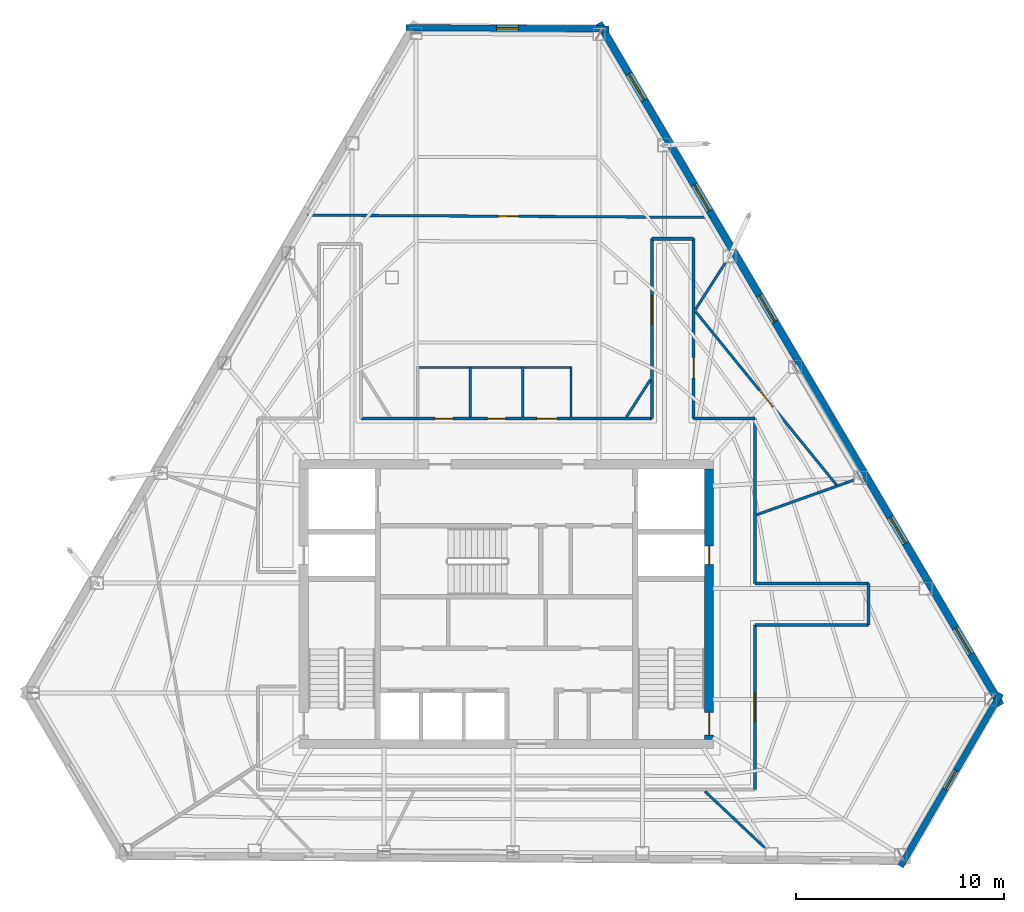
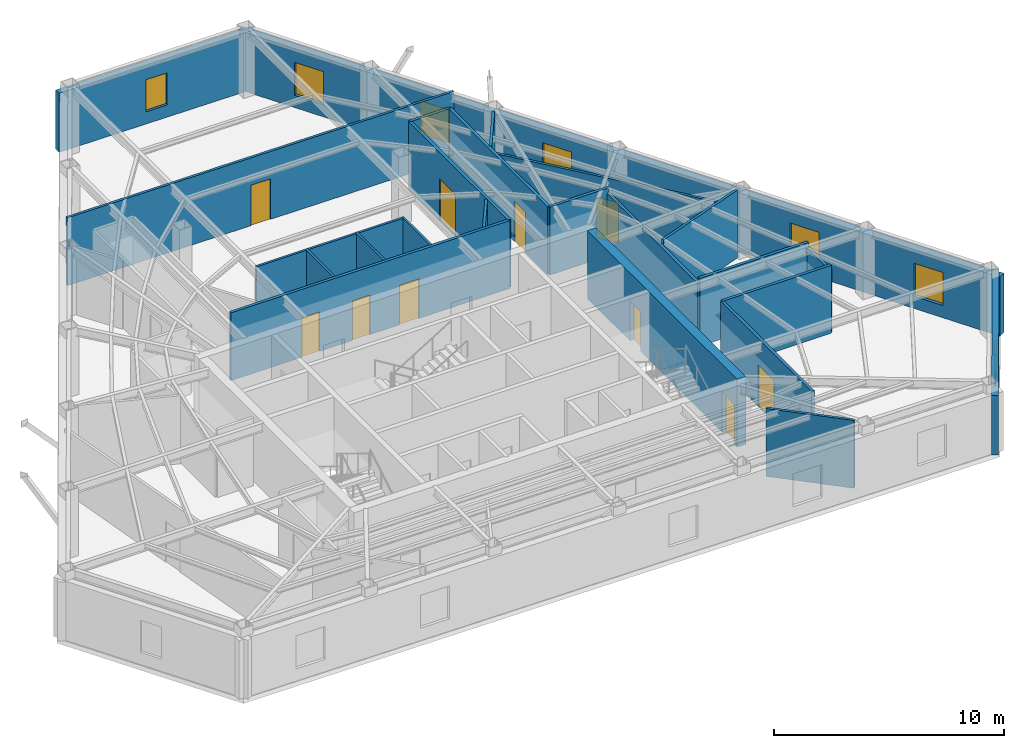
# One storey, part 9 of 11: 24 walls, 10 doors, 7 windows, 17 openings.
"""IFC4 building model written with IfcOpenShell, lengths in metres."""

from ifc_helpers import new_model, si_unit, direction, frame, frame_2d, origin, place, context, subcontext, project, spatial, rectangle, extrude, material, layer, layer_set, type_object, element, fill, save


model = new_model("IFC4")

# Units and contexts
model_context = context("Model", 3, precision=1e-05, world=origin(), true_north=direction((0.0, 1.0)))
body_context = subcontext(model_context, "Body", "Model", "MODEL_VIEW")
ifc_project = project(units=[si_unit("LENGTHUNIT", "METRE"), si_unit("AREAUNIT", "SQUARE_METRE"), si_unit("VOLUMEUNIT", "CUBIC_METRE"), si_unit("PLANEANGLEUNIT", "RADIAN"), si_unit("MASSUNIT", "GRAM", prefix="KILO")], contexts=[model_context])

# Site, building, storey
site_placement = place(None, origin())
site = spatial("IfcSite", under=ifc_project, at=site_placement, CompositionType="ELEMENT")
building_placement = place(site_placement, origin())
building = spatial("IfcBuilding", under=site, at=building_placement, Name="Kavelnor Concourse Tower", CompositionType="ELEMENT")
storey_placement = place(building_placement, frame((0.0, 0.0, 195.800048828125)))
storey = spatial("IfcBuildingStorey", under=building, at=storey_placement, Name="L49", CompositionType="ELEMENT", Elevation=195.800048828125)

# Wall, openings, doors
ifc_material_1 = material(Name="Concrete C50/60", Category="concrete")
ifc_layer_1 = layer(ifc_material_1, 0.43994140625, Name="Concrete C50/60")
ifc_layer_set_1 = layer_set([ifc_layer_1], Name="Concrete C50/60")
wall_type_1 = type_object("IfcWallType", Name="WL-CORE-Z3-440", PredefinedType="SOLIDWALL", material=ifc_layer_set_1)
wall_1_placement = place(storey_placement, frame((47.739990234375, 9.60009765625, 0.0), z_axis=(0.0, 0.0, 1.0), x_axis=(0.0, 1.0, 0.0)))
wall_1 = element("IfcWall", 1, at=wall_1_placement, inside=storey, type_object=wall_type_1, Name="L49 Central Core East Shear Wall", PredefinedType="SOLIDWALL", context=body_context, shape_type="SweptSolid", body=[
    extrude(rectangle(XDim=13.0, YDim=0.43994140625, at=frame_2d((6.5, 0.0))), origin(), (0.0, 0.0, 1.0), 3.599853515625),
])
opening_1_placement = place(wall_1_placement, frame((0.199951171875, 0.0, 0.0)))
opening_1 = element("IfcOpeningElement", 2, at=opening_1_placement, cuts=wall_1, Name="Opening FD-110", PredefinedType="OPENING", context=body_context, shape_type="SweptSolid", body=[
    extrude(rectangle(XDim=1.10009765625, YDim=2.14990234375, at=frame_2d((0.550048828125, 1.074951171875))), frame((0.0, 0.22998046875, 0.0), z_axis=(0.0, -1.0, 0.0), x_axis=(1.0, 0.0, 0.0)), (0.0, 0.0, 1.0), 0.4599609375),
])
opening_2_placement = place(wall_1_placement, frame((8.39990234375, 0.0, 0.0)))
opening_2 = element("IfcOpeningElement", 3, at=opening_2_placement, cuts=wall_1, Name="Opening FD-090", PredefinedType="OPENING", context=body_context, shape_type="SweptSolid", body=[
    extrude(rectangle(XDim=0.89990234375, YDim=2.10009765625, at=frame_2d((0.449951171875, 1.050048828125))), frame((0.0, 0.22998046875, 0.0), z_axis=(0.0, -1.0, 0.0), x_axis=(1.0, 0.0, 0.0)), (0.0, 0.0, 1.0), 0.4599609375),
])
ifc_material_2 = material(Name="Steel Grade 350", Category="steel")
door_type_1 = type_object("IfcDoorType", Name="DR-RISER-FIRE-900", OperationType="NOTDEFINED", PredefinedType="DOOR", material=ifc_material_2)
door_1_placement = place(opening_2_placement, origin())
door_1 = element("IfcDoor", 4, at=door_1_placement, inside=storey, type_object=door_type_1, Name="L49 East Riser Access Door", OperationType="SINGLE_SWING_LEFT", OverallHeight=2.10009765625, OverallWidth=0.89990234375, PredefinedType="DOOR", context=body_context, shape_type="SweptSolid", body=[
    extrude(rectangle(XDim=0.89990234375, YDim=2.10009765625, at=frame_2d((0.449951171875, 1.050048828125))), frame((0.0, 0.02490234375, 0.0), z_axis=(0.0, -1.0, 0.0), x_axis=(1.0, 0.0, 0.0)), (0.0, 0.0, 1.0), 0.050048828125),
])
fill(opening_2, door_1)
door_type_2 = type_object("IfcDoorType", Name="DR-STAIR-FIRE-1100", OperationType="NOTDEFINED", PredefinedType="DOOR", material=ifc_material_2)
door_2_placement = place(opening_1_placement, origin())
door_2 = element("IfcDoor", 5, at=door_2_placement, inside=storey, type_object=door_type_2, Name="L49 Stair ST2 Fire Door", OperationType="SINGLE_SWING_RIGHT", OverallHeight=2.14990234375, OverallWidth=1.10009765625, PredefinedType="DOOR", context=body_context, shape_type="SweptSolid", body=[
    extrude(rectangle(XDim=1.10009765625, YDim=2.14990234375, at=frame_2d((0.550048828125, 1.074951171875))), frame((0.0, 0.02490234375, 0.0), z_axis=(0.0, -1.0, 0.0), x_axis=(1.0, 0.0, 0.0)), (0.0, 0.0, 1.0), 0.050048828125),
])
fill(opening_1, door_2)

# Wall, opening, window
ifc_material_3 = material(Name="Buff ironspot clay face brick masonry", Category="masonry")
ifc_layer_2 = layer(ifc_material_3, 0.300048828125, Name="Buff ironspot clay face brick masonry")
ifc_layer_set_2 = layer_set([ifc_layer_2], Name="Buff ironspot clay face brick masonry")
wall_type_2 = type_object("IfcWallType", Name="WL-EXT-BUFF-BRICK-FOLD-300", PredefinedType="STANDARD", material=ifc_layer_set_2)
wall_2_placement = place(storey_placement, frame((33.177978515625, 43.81103515625, 0.0), z_axis=(0.0, 0.0, 1.0), x_axis=(0.999978468776, -0.006562163026, 0.0)))
wall_2 = element("IfcWall", 6, at=wall_2_placement, inside=storey, type_object=wall_type_2, Name="L49 Exterior Brick Facade Wall E0", PredefinedType="STANDARD", context=body_context, shape_type="SweptSolid", body=[
    extrude(rectangle(XDim=9.74755859375, YDim=0.300048828125, at=frame_2d((4.873779296875, 0.0))), origin(), (0.0, 0.0, 1.0), 3.1318359375),
])
opening_3_placement = place(wall_2_placement, frame((4.348876953125, 0.0, 0.64990234375)))
opening_3 = element("IfcOpeningElement", 7, at=opening_3_placement, cuts=wall_2, Name="Opening W-06", PredefinedType="OPENING", context=body_context, shape_type="SweptSolid", body=[
    extrude(rectangle(XDim=1.050048828125, YDim=1.699951171875, at=frame_2d((0.52490234375, 0.85009765625))), frame((0.0, 0.16015625, 0.0), z_axis=(0.0, -1.0, 0.0), x_axis=(1.0, 0.0, 0.0)), (0.0, 0.0, 1.0), 0.320068359375),
])
ifc_material_4 = material(Name="Double low-E argon insulated glazing", Category="glass")
window_type_1 = type_object("IfcWindowType", Name="WIN-FOLD-1050", PartitioningType="SINGLE_PANEL", PredefinedType="WINDOW", material=ifc_material_4)
window_1_placement = place(opening_3_placement, origin())
window_1 = element("IfcWindow", 8, at=window_1_placement, inside=storey, type_object=window_type_1, Name="L49 Chamfer-Fold Facet Window C0", OverallHeight=1.699951171875, OverallWidth=1.050048828125, PartitioningType="SINGLE_PANEL", PredefinedType="WINDOW", context=body_context, shape_type="SweptSolid", body=[
    extrude(rectangle(XDim=1.050048828125, YDim=1.699951171875, at=frame_2d((0.52490234375, 0.85009765625))), frame((0.0, 0.030029296875, 0.0), z_axis=(0.0, -1.0, 0.0), x_axis=(1.0, 0.0, 0.0)), (0.0, 0.0, 1.0), 0.06005859375),
])
fill(opening_3, window_1)

wall_3_placement = place(storey_placement, frame((61.7626953125, 11.802490234375, 0.0), z_axis=(0.0, 0.0, 1.0), x_axis=(-0.502107301485, -0.864805329421, 0.0)))
wall_3 = element("IfcWall", 9, at=wall_3_placement, inside=storey, type_object=wall_type_2, Name="L49 Exterior Brick Facade Wall E4", PredefinedType="STANDARD", context=body_context, shape_type="SweptSolid", body=[
    extrude(rectangle(XDim=9.60205078125, YDim=0.300048828125, at=frame_2d((4.801025390625, 0.0))), origin(), (0.0, 0.0, 1.0), 3.1318359375),
])
opening_4_placement = place(wall_3_placement, frame((4.276123046875, 0.0, 0.64990234375)))
opening_4 = element("IfcOpeningElement", 10, at=opening_4_placement, cuts=wall_3, Name="Opening W-06", PredefinedType="OPENING", context=body_context, shape_type="SweptSolid", body=[
    extrude(rectangle(XDim=1.050048828125, YDim=1.699951171875, at=frame_2d((0.52490234375, 0.85009765625))), frame((0.0, 0.16015625, 0.0), z_axis=(0.0, -1.0, 0.0), x_axis=(1.0, 0.0, 0.0)), (0.0, 0.0, 1.0), 0.320068359375),
])
window_2_placement = place(opening_4_placement, origin())
window_2 = element("IfcWindow", 11, at=window_2_placement, inside=storey, type_object=window_type_1, Name="L49 Chamfer-Fold Facet Window C2", OverallHeight=1.699951171875, OverallWidth=1.050048828125, PartitioningType="SINGLE_PANEL", PredefinedType="WINDOW", context=body_context, shape_type="SweptSolid", body=[
    extrude(rectangle(XDim=1.050048828125, YDim=1.699951171875, at=frame_2d((0.52490234375, 0.85009765625))), frame((0.0, 0.030029296875, 0.0), z_axis=(0.0, -1.0, 0.0), x_axis=(1.0, 0.0, 0.0)), (0.0, 0.0, 1.0), 0.06005859375),
])
fill(opening_4, window_2)

# Wall, openings, windows
ifc_material_5 = material(Name="Red-ochre clay face brick masonry", Category="masonry")
ifc_layer_3 = layer(ifc_material_5, 0.35009765625, Name="Red-ochre clay face brick masonry")
ifc_layer_set_3 = layer_set([ifc_layer_3], Name="Red-ochre clay face brick masonry")
wall_type_3 = type_object("IfcWallType", Name="WL-EXT-RED-BRICK-PIER-350", PredefinedType="STANDARD", material=ifc_layer_set_3)
wall_4_placement = place(storey_placement, frame((42.4443359375, 44.024169921875, 0.0), z_axis=(0.0, 0.0, 1.0), x_axis=(0.507770038723, -0.861492651028, 0.0)))
wall_4 = element("IfcWall", 12, at=wall_4_placement, inside=storey, type_object=wall_type_3, Name="L49 Exterior Brick Facade Wall E5", PredefinedType="STANDARD", context=body_context, shape_type="SweptSolid", body=[
    extrude(rectangle(XDim=38.048828125, YDim=0.35009765625, at=frame_2d((19.0244140625, 0.0))), origin(), (0.0, 0.0, 1.0), 3.1318359375),
])
opening_5_placement = place(wall_4_placement, frame((33.751708984375, 0.0, 0.64990234375)))
opening_5 = element("IfcOpeningElement", 13, at=opening_5_placement, cuts=wall_4, Name="Opening W-03", PredefinedType="OPENING", context=body_context, shape_type="SweptSolid", body=[
    extrude(rectangle(XDim=1.449951171875, YDim=1.75, at=frame_2d((0.72509765625, 0.875))), frame((0.0, 0.18505859375, 0.0), z_axis=(0.0, -1.0, 0.0), x_axis=(1.0, 0.0, 0.0)), (0.0, 0.0, 1.0), 0.3701171875),
])
opening_6_placement = place(wall_4_placement, frame((27.569091796875, 0.0, 0.64990234375)))
opening_6 = element("IfcOpeningElement", 14, at=opening_6_placement, cuts=wall_4, Name="Opening W-03", PredefinedType="OPENING", context=body_context, shape_type="SweptSolid", body=[
    extrude(rectangle(XDim=1.449951171875, YDim=1.75, at=frame_2d((0.72509765625, 0.875))), frame((0.0, 0.18505859375, 0.0), z_axis=(0.0, -1.0, 0.0), x_axis=(1.0, 0.0, 0.0)), (0.0, 0.0, 1.0), 0.3701171875),
])
opening_7_placement = place(wall_4_placement, frame((15.203857421875, 0.0, 0.64990234375)))
opening_7 = element("IfcOpeningElement", 15, at=opening_7_placement, cuts=wall_4, Name="Opening W-03", PredefinedType="OPENING", context=body_context, shape_type="SweptSolid", body=[
    extrude(rectangle(XDim=1.449951171875, YDim=1.75, at=frame_2d((0.72509765625, 0.875))), frame((0.0, 0.18505859375, 0.0), z_axis=(0.0, -1.0, 0.0), x_axis=(1.0, 0.0, 0.0)), (0.0, 0.0, 1.0), 0.3701171875),
])
opening_8_placement = place(wall_4_placement, frame((9.021240234375, 0.0, 0.64990234375)))
opening_8 = element("IfcOpeningElement", 16, at=opening_8_placement, cuts=wall_4, Name="Opening W-03", PredefinedType="OPENING", context=body_context, shape_type="SweptSolid", body=[
    extrude(rectangle(XDim=1.449951171875, YDim=1.75, at=frame_2d((0.72509765625, 0.875))), frame((0.0, 0.18505859375, 0.0), z_axis=(0.0, -1.0, 0.0), x_axis=(1.0, 0.0, 0.0)), (0.0, 0.0, 1.0), 0.3701171875),
])
opening_9_placement = place(wall_4_placement, frame((2.838623046875, 0.0, 0.64990234375)))
opening_9 = element("IfcOpeningElement", 17, at=opening_9_placement, cuts=wall_4, Name="Opening W-03", PredefinedType="OPENING", context=body_context, shape_type="SweptSolid", body=[
    extrude(rectangle(XDim=1.449951171875, YDim=1.75, at=frame_2d((0.72509765625, 0.875))), frame((0.0, 0.18505859375, 0.0), z_axis=(0.0, -1.0, 0.0), x_axis=(1.0, 0.0, 0.0)), (0.0, 0.0, 1.0), 0.3701171875),
])
window_type_2 = type_object("IfcWindowType", Name="WIN-PIER-Z3-1500", PartitioningType="SINGLE_PANEL", PredefinedType="WINDOW", material=ifc_material_4)
window_3_placement = place(opening_5_placement, origin())
window_3 = element("IfcWindow", 18, at=window_3_placement, inside=storey, type_object=window_type_2, Name="L49 Deep-Set Brick Pier Window F2-B0", OverallHeight=1.75, OverallWidth=1.449951171875, PartitioningType="SINGLE_PANEL", PredefinedType="WINDOW", context=body_context, shape_type="SweptSolid", body=[
    extrude(rectangle(XDim=1.449951171875, YDim=1.75, at=frame_2d((0.72509765625, 0.875))), frame((0.0, 0.030029296875, 0.0), z_axis=(0.0, -1.0, 0.0), x_axis=(1.0, 0.0, 0.0)), (0.0, 0.0, 1.0), 0.06005859375),
])
fill(opening_5, window_3)
window_4_placement = place(opening_6_placement, origin())
window_4 = element("IfcWindow", 19, at=window_4_placement, inside=storey, type_object=window_type_2, Name="L49 Deep-Set Brick Pier Window F2-B1", OverallHeight=1.75, OverallWidth=1.449951171875, PartitioningType="SINGLE_PANEL", PredefinedType="WINDOW", context=body_context, shape_type="SweptSolid", body=[
    extrude(rectangle(XDim=1.449951171875, YDim=1.75, at=frame_2d((0.72509765625, 0.875))), frame((0.0, 0.030029296875, 0.0), z_axis=(0.0, -1.0, 0.0), x_axis=(1.0, 0.0, 0.0)), (0.0, 0.0, 1.0), 0.06005859375),
])
fill(opening_6, window_4)
window_5_placement = place(opening_7_placement, origin())
window_5 = element("IfcWindow", 20, at=window_5_placement, inside=storey, type_object=window_type_2, Name="L49 Deep-Set Brick Pier Window F2-B3", OverallHeight=1.75, OverallWidth=1.449951171875, PartitioningType="SINGLE_PANEL", PredefinedType="WINDOW", context=body_context, shape_type="SweptSolid", body=[
    extrude(rectangle(XDim=1.449951171875, YDim=1.75, at=frame_2d((0.72509765625, 0.875))), frame((0.0, 0.030029296875, 0.0), z_axis=(0.0, -1.0, 0.0), x_axis=(1.0, 0.0, 0.0)), (0.0, 0.0, 1.0), 0.06005859375),
])
fill(opening_7, window_5)
window_6_placement = place(opening_8_placement, origin())
window_6 = element("IfcWindow", 21, at=window_6_placement, inside=storey, type_object=window_type_2, Name="L49 Deep-Set Brick Pier Window F2-B4", OverallHeight=1.75, OverallWidth=1.449951171875, PartitioningType="SINGLE_PANEL", PredefinedType="WINDOW", context=body_context, shape_type="SweptSolid", body=[
    extrude(rectangle(XDim=1.449951171875, YDim=1.75, at=frame_2d((0.72509765625, 0.875))), frame((0.0, 0.030029296875, 0.0), z_axis=(0.0, -1.0, 0.0), x_axis=(1.0, 0.0, 0.0)), (0.0, 0.0, 1.0), 0.06005859375),
])
fill(opening_8, window_6)
window_7_placement = place(opening_9_placement, origin())
window_7 = element("IfcWindow", 22, at=window_7_placement, inside=storey, type_object=window_type_2, Name="L49 Deep-Set Brick Pier Window F2-B5", OverallHeight=1.75, OverallWidth=1.449951171875, PartitioningType="SINGLE_PANEL", PredefinedType="WINDOW", context=body_context, shape_type="SweptSolid", body=[
    extrude(rectangle(XDim=1.449951171875, YDim=1.75, at=frame_2d((0.72509765625, 0.875))), frame((0.0, 0.030029296875, 0.0), z_axis=(0.0, -1.0, 0.0), x_axis=(1.0, 0.0, 0.0)), (0.0, 0.0, 1.0), 0.06005859375),
])
fill(opening_9, window_7)

# Wall, openings, doors
ifc_material_6 = material(Name="Gypsum plasterboard on light-gauge steel studs", Category="steel")
ifc_layer_4 = layer(ifc_material_6, 0.14501953125, Name="Gypsum plasterboard on light-gauge steel studs")
ifc_layer_set_4 = layer_set([ifc_layer_4], Name="Gypsum plasterboard on light-gauge steel studs")
wall_type_4 = type_object("IfcWallType", Name="WL-INT-CORR-145", PredefinedType="PARTITIONING", material=ifc_layer_set_4)
wall_5_placement = place(storey_placement, frame((31.0, 25.02001953125, 0.0), z_axis=(0.0, 0.0, 1.0), x_axis=(1.0, 0.0, 0.0)))
wall_5 = element("IfcWall", 23, at=wall_5_placement, inside=storey, type_object=wall_type_4, Name="L49 Corridor Wall WL-L49-CR-07", PredefinedType="PARTITIONING", context=body_context, shape_type="SweptSolid", body=[
    extrude(rectangle(XDim=14.0, YDim=0.14501953125, at=frame_2d((7.0, 0.0))), origin(), (0.0, 0.0, 1.0), 3.599853515625),
])
opening_10_placement = place(wall_5_placement, frame((3.56005859375, 0.0, 0.0)))
opening_10 = element("IfcOpeningElement", 24, at=opening_10_placement, cuts=wall_5, Name="Opening WD-088", PredefinedType="OPENING", context=body_context, shape_type="SweptSolid", body=[
    extrude(rectangle(XDim=0.8798828125, YDim=2.10009765625, at=frame_2d((0.43994140625, 1.050048828125))), frame((0.0, 0.08251953125, 0.0), z_axis=(0.0, -1.0, 0.0), x_axis=(1.0, 0.0, 0.0)), (0.0, 0.0, 1.0), 0.1650390625),
])
opening_11_placement = place(wall_5_placement, frame((6.080078125, 0.0, 0.0)))
opening_11 = element("IfcOpeningElement", 25, at=opening_11_placement, cuts=wall_5, Name="Opening WD-088", PredefinedType="OPENING", context=body_context, shape_type="SweptSolid", body=[
    extrude(rectangle(XDim=0.8798828125, YDim=2.10009765625, at=frame_2d((0.43994140625, 1.050048828125))), frame((0.0, 0.08251953125, 0.0), z_axis=(0.0, -1.0, 0.0), x_axis=(1.0, 0.0, 0.0)), (0.0, 0.0, 1.0), 0.1650390625),
])
opening_12_placement = place(wall_5_placement, frame((8.4599609375, 0.0, 0.0)))
opening_12 = element("IfcOpeningElement", 26, at=opening_12_placement, cuts=wall_5, Name="Opening WD-096", PredefinedType="OPENING", context=body_context, shape_type="SweptSolid", body=[
    extrude(rectangle(XDim=0.9599609375, YDim=2.10009765625, at=frame_2d((0.47998046875, 1.050048828125))), frame((0.0, 0.08251953125, 0.0), z_axis=(0.0, -1.0, 0.0), x_axis=(1.0, 0.0, 0.0)), (0.0, 0.0, 1.0), 0.1650390625),
])
ifc_material_7 = material(Name="Solid-core hardwood timber", Category="wood")
door_type_3 = type_object("IfcDoorType", Name="DR-WC-ACC-960", OperationType="NOTDEFINED", PredefinedType="DOOR", material=ifc_material_7)
door_3_placement = place(opening_12_placement, origin())
door_3 = element("IfcDoor", 27, at=door_3_placement, inside=storey, type_object=door_type_3, Name="L49 Accessible WC Door", OperationType="SINGLE_SWING_RIGHT", OverallHeight=2.10009765625, OverallWidth=0.9599609375, PredefinedType="DOOR", context=body_context, shape_type="SweptSolid", body=[
    extrude(rectangle(XDim=0.9599609375, YDim=2.10009765625, at=frame_2d((0.47998046875, 1.050048828125))), frame((0.0, 0.02490234375, 0.0), z_axis=(0.0, -1.0, 0.0), x_axis=(1.0, 0.0, 0.0)), (0.0, 0.0, 1.0), 0.050048828125),
])
fill(opening_12, door_3)
door_type_4 = type_object("IfcDoorType", Name="DR-WC-STD-880", OperationType="NOTDEFINED", PredefinedType="DOOR", material=ifc_material_7)
door_4_placement = place(opening_10_placement, origin())
door_4 = element("IfcDoor", 28, at=door_4_placement, inside=storey, type_object=door_type_4, Name="L49 Male WC Door", OperationType="SINGLE_SWING_RIGHT", OverallHeight=2.10009765625, OverallWidth=0.8798828125, PredefinedType="DOOR", context=body_context, shape_type="SweptSolid", body=[
    extrude(rectangle(XDim=0.8798828125, YDim=2.10009765625, at=frame_2d((0.43994140625, 1.050048828125))), frame((0.0, 0.02490234375, 0.0), z_axis=(0.0, -1.0, 0.0), x_axis=(1.0, 0.0, 0.0)), (0.0, 0.0, 1.0), 0.050048828125),
])
fill(opening_10, door_4)
door_5_placement = place(opening_11_placement, origin())
door_5 = element("IfcDoor", 29, at=door_5_placement, inside=storey, type_object=door_type_4, Name="L49 Female WC Door", OperationType="SINGLE_SWING_LEFT", OverallHeight=2.10009765625, OverallWidth=0.8798828125, PredefinedType="DOOR", context=body_context, shape_type="SweptSolid", body=[
    extrude(rectangle(XDim=0.8798828125, YDim=2.10009765625, at=frame_2d((0.43994140625, 1.050048828125))), frame((0.0, 0.02490234375, 0.0), z_axis=(0.0, -1.0, 0.0), x_axis=(1.0, 0.0, 0.0)), (0.0, 0.0, 1.0), 0.050048828125),
])
fill(opening_11, door_5)

# Wall, opening, door
wall_6_placement = place(storey_placement, frame((45.0, 25.02001953125, 0.0), z_axis=(0.0, 0.0, 1.0), x_axis=(0.0, 1.0, 0.0)))
wall_6 = element("IfcWall", 30, at=wall_6_placement, inside=storey, type_object=wall_type_4, Name="L49 Corridor Wall WL-L49-CR-08", PredefinedType="PARTITIONING", context=body_context, shape_type="SweptSolid", body=[
    extrude(rectangle(XDim=8.641845703125, YDim=0.14501953125, at=frame_2d((4.32080078125, 0.0))), origin(), (0.0, 0.0, 1.0), 3.599853515625),
])
opening_13_placement = place(wall_6_placement, frame((4.528564453125, 0.0, 0.0)))
opening_13 = element("IfcOpeningElement", 31, at=opening_13_placement, cuts=wall_6, Name="Opening SD-140", PredefinedType="OPENING", context=body_context, shape_type="SweptSolid", body=[
    extrude(rectangle(XDim=1.39990234375, YDim=2.199951171875, at=frame_2d((0.699951171875, 1.10009765625))), frame((0.0, 0.08251953125, 0.0), z_axis=(0.0, -1.0, 0.0), x_axis=(1.0, 0.0, 0.0)), (0.0, 0.0, 1.0), 0.1650390625),
])
door_type_5 = type_object("IfcDoorType", Name="DR-SUITE-ENTRY-1400", OperationType="NOTDEFINED", PredefinedType="DOOR", material=ifc_material_7)
door_6_placement = place(opening_13_placement, origin())
door_6 = element("IfcDoor", 32, at=door_6_placement, inside=storey, type_object=door_type_5, Name="L49 Client Concierge 03 Door", OperationType="SINGLE_SWING_LEFT", OverallHeight=2.199951171875, OverallWidth=1.39990234375, PredefinedType="DOOR", context=body_context, shape_type="SweptSolid", body=[
    extrude(rectangle(XDim=1.39990234375, YDim=2.199951171875, at=frame_2d((0.699951171875, 1.10009765625))), frame((0.0, 0.02490234375, 0.0), z_axis=(0.0, -1.0, 0.0), x_axis=(1.0, 0.0, 0.0)), (0.0, 0.0, 1.0), 0.050048828125),
])
fill(opening_13, door_6)

# Wall
wall_7_placement = place(storey_placement, frame((45.0, 33.661865234375, 0.0), z_axis=(0.0, 0.0, 1.0), x_axis=(1.0, 0.0, 0.0)))
element("IfcWall", 33, at=wall_7_placement, inside=storey, type_object=wall_type_4, Name="L49 Corridor Wall WL-L49-CR-09", PredefinedType="PARTITIONING", context=body_context, shape_type="SweptSolid", body=[
    extrude(rectangle(XDim=2.0, YDim=0.14501953125, at=frame_2d((1.0, 0.0))), origin(), (0.0, 0.0, 1.0), 3.599853515625),
])

# Wall, opening, door
wall_8_placement = place(storey_placement, frame((47.0, 33.661865234375, 0.0), z_axis=(0.0, 0.0, 1.0), x_axis=(0.0, -1.0, 0.0)))
wall_8 = element("IfcWall", 34, at=wall_8_placement, inside=storey, type_object=wall_type_4, Name="L49 Corridor Wall WL-L49-CR-10", PredefinedType="PARTITIONING", context=body_context, shape_type="SweptSolid", body=[
    extrude(rectangle(XDim=8.641845703125, YDim=0.14501953125, at=frame_2d((4.32080078125, 0.0))), origin(), (0.0, 0.0, 1.0), 3.599853515625),
])
opening_14_placement = place(wall_8_placement, frame((5.71826171875, 0.0, 0.0)))
opening_14 = element("IfcOpeningElement", 35, at=opening_14_placement, cuts=wall_8, Name="Opening OD-098", PredefinedType="OPENING", context=body_context, shape_type="SweptSolid", body=[
    extrude(rectangle(XDim=0.97998046875, YDim=2.14990234375, at=frame_2d((0.489990234375, 1.074951171875))), frame((0.0, 0.08251953125, 0.0), z_axis=(0.0, -1.0, 0.0), x_axis=(1.0, 0.0, 0.0)), (0.0, 0.0, 1.0), 0.1650390625),
])
door_type_6 = type_object("IfcDoorType", Name="DR-OFFICE-980", OperationType="NOTDEFINED", PredefinedType="DOOR", material=ifc_material_7)
door_7_placement = place(opening_14_placement, origin())
door_7 = element("IfcDoor", 36, at=door_7_placement, inside=storey, type_object=door_type_6, Name="L49 Architectural Design Studio 01 Door", OperationType="SINGLE_SWING_LEFT", OverallHeight=2.14990234375, OverallWidth=0.97998046875, PredefinedType="DOOR", context=body_context, shape_type="SweptSolid", body=[
    extrude(rectangle(XDim=0.97998046875, YDim=2.14990234375, at=frame_2d((0.489990234375, 1.074951171875))), frame((0.0, 0.02490234375, 0.0), z_axis=(0.0, -1.0, 0.0), x_axis=(1.0, 0.0, 0.0)), (0.0, 0.0, 1.0), 0.050048828125),
])
fill(opening_14, door_7)

# Walls
wall_9_placement = place(storey_placement, frame((47.0, 25.02001953125, 0.0), z_axis=(0.0, 0.0, 1.0), x_axis=(1.0, 0.0, 0.0)))
element("IfcWall", 37, at=wall_9_placement, inside=storey, type_object=wall_type_4, Name="L49 Corridor Wall WL-L49-CR-11", PredefinedType="PARTITIONING", context=body_context, shape_type="SweptSolid", body=[
    extrude(rectangle(XDim=2.93994140625, YDim=0.14501953125, at=frame_2d((1.469970703125, 0.0))), origin(), (0.0, 0.0, 1.0), 3.599853515625),
])
wall_10_placement = place(storey_placement, frame((49.93994140625, 25.02001953125, 0.0), z_axis=(0.0, 0.0, 1.0), x_axis=(0.0, -1.0, 0.0)))
element("IfcWall", 38, at=wall_10_placement, inside=storey, type_object=wall_type_4, Name="L49 Corridor Wall WL-L49-CR-12", PredefinedType="PARTITIONING", context=body_context, shape_type="SweptSolid", body=[
    extrude(rectangle(XDim=7.919921875, YDim=0.14501953125, at=frame_2d((3.9599609375, 0.0))), origin(), (0.0, 0.0, 1.0), 3.3388671875),
])
wall_11_placement = place(storey_placement, frame((49.93994140625, 17.10009765625, 0.0), z_axis=(0.0, 0.0, 1.0), x_axis=(1.0, 0.0, 0.0)))
element("IfcWall", 39, at=wall_11_placement, inside=storey, type_object=wall_type_4, Name="L49 Corridor Wall WL-L49-CR-13", PredefinedType="PARTITIONING", context=body_context, shape_type="SweptSolid", body=[
    extrude(rectangle(XDim=5.4599609375, YDim=0.14501953125, at=frame_2d((2.72998046875, 0.0))), origin(), (0.0, 0.0, 1.0), 3.599853515625),
])
wall_12_placement = place(storey_placement, frame((55.39990234375, 17.10009765625, 0.0), z_axis=(0.0, 0.0, 1.0), x_axis=(0.0, -1.0, 0.0)))
element("IfcWall", 40, at=wall_12_placement, inside=storey, type_object=wall_type_4, Name="L49 Corridor Wall WL-L49-CR-14", PredefinedType="PARTITIONING", context=body_context, shape_type="SweptSolid", body=[
    extrude(rectangle(XDim=2.0, YDim=0.14501953125, at=frame_2d((1.0, 0.0))), origin(), (0.0, 0.0, 1.0), 3.3388671875),
])
wall_13_placement = place(storey_placement, frame((55.39990234375, 15.10009765625, 0.0), z_axis=(0.0, 0.0, 1.0), x_axis=(-1.0, 0.0, 0.0)))
element("IfcWall", 41, at=wall_13_placement, inside=storey, type_object=wall_type_4, Name="L49 Corridor Wall WL-L49-CR-15", PredefinedType="PARTITIONING", context=body_context, shape_type="SweptSolid", body=[
    extrude(rectangle(XDim=5.4599609375, YDim=0.14501953125, at=frame_2d((2.72998046875, 0.0))), origin(), (0.0, 0.0, 1.0), 3.599853515625),
])

# Wall, opening, door
wall_14_placement = place(storey_placement, frame((49.93994140625, 15.10009765625, 0.0), z_axis=(0.0, 0.0, 1.0), x_axis=(0.0, -1.0, 0.0)))
wall_14 = element("IfcWall", 42, at=wall_14_placement, inside=storey, type_object=wall_type_4, Name="L49 Corridor Wall WL-L49-CR-16", PredefinedType="PARTITIONING", context=body_context, shape_type="SweptSolid", body=[
    extrude(rectangle(XDim=7.920166015625, YDim=0.14501953125, at=frame_2d((3.9599609375, 0.0))), origin(), (0.0, 0.0, 1.0), 3.599853515625),
])
opening_15_placement = place(wall_14_placement, frame((3.260009765625, 0.0, 0.0)))
opening_15 = element("IfcOpeningElement", 43, at=opening_15_placement, cuts=wall_14, Name="Opening SD-140", PredefinedType="OPENING", context=body_context, shape_type="SweptSolid", body=[
    extrude(rectangle(XDim=1.39990234375, YDim=2.199951171875, at=frame_2d((0.699951171875, 1.10009765625))), frame((0.0, 0.08251953125, 0.0), z_axis=(0.0, -1.0, 0.0), x_axis=(1.0, 0.0, 0.0)), (0.0, 0.0, 1.0), 0.1650390625),
])
door_8_placement = place(opening_15_placement, origin())
door_8 = element("IfcDoor", 44, at=door_8_placement, inside=storey, type_object=door_type_5, Name="L49 Client Concierge 11 Door", OperationType="SINGLE_SWING_LEFT", OverallHeight=2.199951171875, OverallWidth=1.39990234375, PredefinedType="DOOR", context=body_context, shape_type="SweptSolid", body=[
    extrude(rectangle(XDim=1.39990234375, YDim=2.199951171875, at=frame_2d((0.699951171875, 1.10009765625))), frame((0.0, 0.02490234375, 0.0), z_axis=(0.0, -1.0, 0.0), x_axis=(1.0, 0.0, 0.0)), (0.0, 0.0, 1.0), 0.050048828125),
])
fill(opening_15, door_8)

# Walls
ifc_layer_5 = layer(ifc_material_6, 0.125, Name="Gypsum plasterboard on light-gauge steel studs")
ifc_layer_set_5 = layer_set([ifc_layer_5], Name="Gypsum plasterboard on light-gauge steel studs")
wall_type_5 = type_object("IfcWallType", Name="WL-INT-SUITE-125", PredefinedType="PARTITIONING", material=ifc_layer_set_5)
wall_15_placement = place(storey_placement, frame((50.0205078125, 20.393310546875, 0.0), z_axis=(0.0, 0.0, 1.0), x_axis=(0.941734098286, 0.336358273462, 0.0)))
element("IfcWall", 45, at=wall_15_placement, inside=storey, type_object=wall_type_5, Name="L49 Radial Suite Partition 01", PredefinedType="PARTITIONING", context=body_context, shape_type="SweptSolid", body=[
    extrude(rectangle(XDim=4.94873046875, YDim=0.125, at=frame_2d((2.474365234375, 0.0))), origin(), (0.0, 0.0, 1.0), 3.599853515625),
])
wall_16_placement = place(storey_placement, frame((43.773681640625, 25.1005859375, 0.0), z_axis=(0.0, 0.0, 1.0), x_axis=(0.539879343567, 0.8417424157, 0.0)))
element("IfcWall", 46, at=wall_16_placement, inside=storey, type_object=wall_type_5, Name="L49 Radial Suite Partition 02", PredefinedType="PARTITIONING", context=body_context, shape_type="SweptSolid", body=[
    extrude(rectangle(XDim=2.122314453125, YDim=0.125, at=frame_2d((1.06103515625, 0.0))), origin(), (0.0, 0.0, 1.0), 3.599853515625),
])
wall_17_placement = place(storey_placement, frame((47.08056640625, 30.255615234375, 0.0), z_axis=(0.0, 0.0, 1.0), x_axis=(0.539947349499, 0.841698793969, 0.0)))
element("IfcWall", 47, at=wall_17_placement, inside=storey, type_object=wall_type_5, Name="L49 Radial Suite Partition 02", PredefinedType="PARTITIONING", context=body_context, shape_type="SweptSolid", body=[
    extrude(rectangle(XDim=2.666015625, YDim=0.125, at=frame_2d((1.3330078125, 0.0))), origin(), (0.0, 0.0, 1.0), 3.599853515625),
])
wall_18_placement = place(storey_placement, frame((47.545654296875, 7.099609375, 0.0), z_axis=(0.0, 0.0, 1.0), x_axis=(0.727539012219, -0.686066312903, 0.0)))
element("IfcWall", 48, at=wall_18_placement, inside=storey, type_object=wall_type_5, Name="L49 Radial Suite Partition 07", PredefinedType="PARTITIONING", context=body_context, shape_type="SweptSolid", body=[
    extrude(rectangle(XDim=3.938232421875, YDim=0.125, at=frame_2d((1.96923828125, 0.0))), origin(), (0.0, 0.0, 1.0), 3.599853515625),
])

# Wall, opening, door
wall_19_placement = place(storey_placement, frame((53.89404296875, 21.792724609375, 0.0), z_axis=(0.0, 0.0, 1.0), x_axis=(-0.630861507456, 0.775895455851, 0.0)))
wall_19 = element("IfcWall", 49, at=wall_19_placement, inside=storey, type_object=wall_type_5, Name="L49 Suite Subdivision Partition 01", PredefinedType="PARTITIONING", context=body_context, shape_type="SweptSolid", body=[
    extrude(rectangle(XDim=10.80029296875, YDim=0.125, at=frame_2d((5.400146484375, 0.0))), origin(), (0.0, 0.0, 1.0), 3.3388671875),
])
opening_16_placement = place(wall_19_placement, frame((4.879638671875, 0.0, 0.0)))
opening_16 = element("IfcOpeningElement", 50, at=opening_16_placement, cuts=wall_19, Name="Opening MD-102", PredefinedType="OPENING", context=body_context, shape_type="SweptSolid", body=[
    extrude(rectangle(XDim=1.02001953125, YDim=2.14990234375, at=frame_2d((0.510009765625, 1.074951171875))), frame((0.0, 0.072509765625, 0.0), z_axis=(0.0, -1.0, 0.0), x_axis=(1.0, 0.0, 0.0)), (0.0, 0.0, 1.0), 0.14501953125),
])
ifc_material_8 = material(Name="Acoustic glazed timber frame", Category="wood")
door_type_7 = type_object("IfcDoorType", Name="DR-MEETING-1020", OperationType="NOTDEFINED", PredefinedType="DOOR", material=ifc_material_8)
door_9_placement = place(opening_16_placement, origin())
door_9 = element("IfcDoor", 51, at=door_9_placement, inside=storey, type_object=door_type_7, Name="L49 Client Boardroom 02 Door", OperationType="SINGLE_SWING_RIGHT", OverallHeight=2.14990234375, OverallWidth=1.02001953125, PredefinedType="DOOR", context=body_context, shape_type="SweptSolid", body=[
    extrude(rectangle(XDim=1.02001953125, YDim=2.14990234375, at=frame_2d((0.510009765625, 1.074951171875))), frame((0.0, 0.02490234375, 0.0), z_axis=(0.0, -1.0, 0.0), x_axis=(1.0, 0.0, 0.0)), (0.0, 0.0, 1.0), 0.050048828125),
])
fill(opening_16, door_9)

wall_20_placement = place(storey_placement, frame((47.773681640625, 34.6865234375, 0.0), z_axis=(0.0, 0.0, 1.0), x_axis=(-0.999983926054, 0.005669888277, 0.0)))
wall_20 = element("IfcWall", 52, at=wall_20_placement, inside=storey, type_object=wall_type_5, Name="L49 Suite Subdivision Partition 02", PredefinedType="PARTITIONING", context=body_context, shape_type="SweptSolid", body=[
    extrude(rectangle(XDim=19.33349609375, YDim=0.125, at=frame_2d((9.666748046875, 0.0))), origin(), (0.0, 0.0, 1.0), 3.599853515625),
])
opening_17_placement = place(wall_20_placement, frame((9.1767578125, 0.0, 0.0)))
opening_17 = element("IfcOpeningElement", 53, at=opening_17_placement, cuts=wall_20, Name="Opening OD-098", PredefinedType="OPENING", context=body_context, shape_type="SweptSolid", body=[
    extrude(rectangle(XDim=0.97998046875, YDim=2.14990234375, at=frame_2d((0.489990234375, 1.074951171875))), frame((0.0, 0.072509765625, 0.0), z_axis=(0.0, -1.0, 0.0), x_axis=(1.0, 0.0, 0.0)), (0.0, 0.0, 1.0), 0.14501953125),
])
door_10_placement = place(opening_17_placement, origin())
door_10 = element("IfcDoor", 54, at=door_10_placement, inside=storey, type_object=door_type_6, Name="L49 Architectural Design Studio 04 Door", OperationType="SINGLE_SWING_RIGHT", OverallHeight=2.14990234375, OverallWidth=0.97998046875, PredefinedType="DOOR", context=body_context, shape_type="SweptSolid", body=[
    extrude(rectangle(XDim=0.97998046875, YDim=2.14990234375, at=frame_2d((0.489990234375, 1.074951171875))), frame((0.0, 0.02490234375, 0.0), z_axis=(0.0, -1.0, 0.0), x_axis=(1.0, 0.0, 0.0)), (0.0, 0.0, 1.0), 0.050048828125),
])
fill(opening_17, door_10)

# Walls
ifc_layer_6 = layer(ifc_material_6, 0.110107421875, Name="Gypsum plasterboard on light-gauge steel studs")
ifc_layer_set_6 = layer_set([ifc_layer_6], Name="Gypsum plasterboard on light-gauge steel studs")
wall_type_6 = type_object("IfcWallType", Name="WL-INT-WC-110", PredefinedType="PLUMBINGWALL", material=ifc_layer_set_6)
for number, where, z_axis, x_axis, name in (
    (55, (36.260009765625, 25.090087890625, 0.0), (0.0, 0.0, 1.0), (0.0, 1.0, 0.0), "L49 Sanitary Partition WL-L49-WC-D1"),
    (56, (38.780029296875, 25.090087890625, 0.0), (0.0, 0.0, 1.0), (0.0, 1.0, 0.0), "L49 Sanitary Partition WL-L49-WC-D2"),
    (57, (41.10009765625, 25.090087890625, 0.0), (0.0, 0.0, 1.0), (0.0, 1.0, 0.0), "L49 Sanitary Partition WL-L49-WC-E"),
):
    element("IfcWall", number, at=place(storey_placement, frame(where, z_axis=z_axis, x_axis=x_axis)), inside=storey, type_object=wall_type_6, Name=name, PredefinedType="PLUMBINGWALL", context=body_context, shape_type="SweptSolid", body=[
        extrude(rectangle(XDim=2.43994140625, YDim=0.110107421875, at=frame_2d((1.219970703125, 0.0))), origin(), (0.0, 0.0, 1.0), 3.599853515625),
    ])
wall_21_placement = place(storey_placement, frame((33.68994140625, 27.469970703125, 0.0), z_axis=(0.0, 0.0, 1.0), x_axis=(1.0, 0.0, 0.0)))
element("IfcWall", 58, at=wall_21_placement, inside=storey, type_object=wall_type_6, Name="L49 Sanitary Partition WL-L49-WC-N", PredefinedType="PLUMBINGWALL", context=body_context, shape_type="SweptSolid", body=[
    extrude(rectangle(XDim=7.4599609375, YDim=0.110107421875, at=frame_2d((3.72998046875, 0.0))), origin(), (0.0, 0.0, 1.0), 3.599853515625),
])

save(model, "model.ifc")
